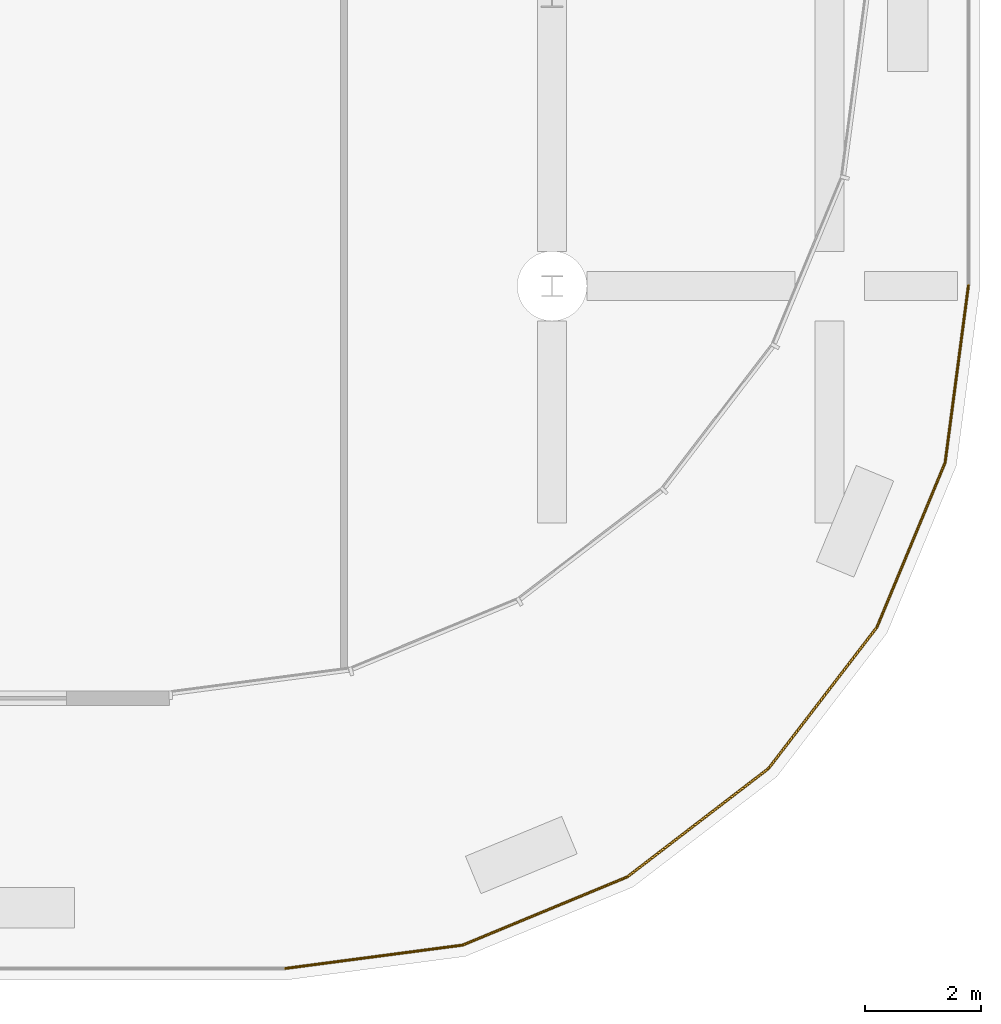
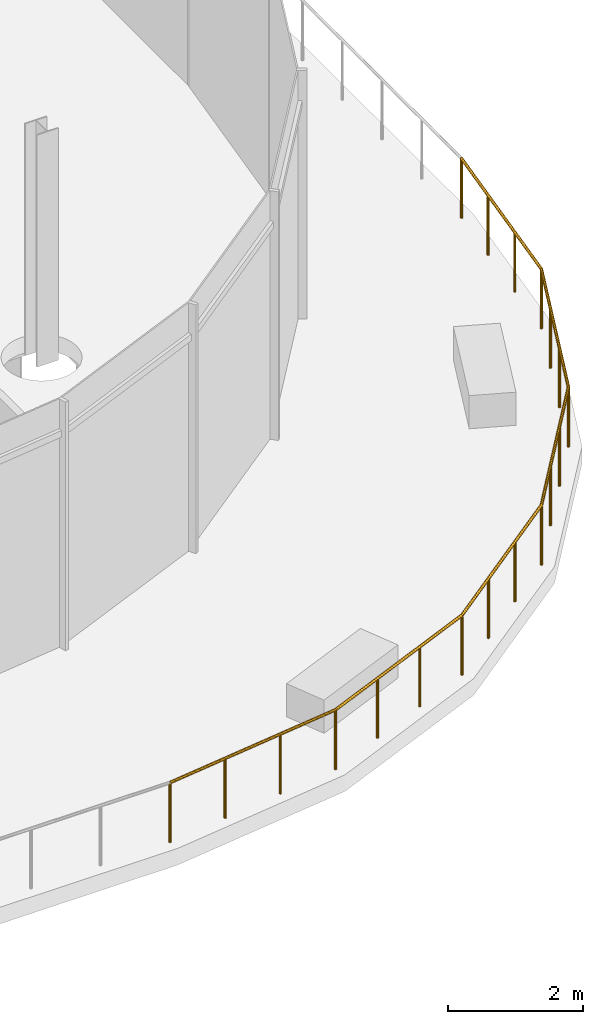
# One storey, part 52 of 56: 1 railing.
"""IFC4 building model written with IfcOpenShell, lengths in metres."""

from ifc_helpers import new_model, si_unit, direction, frame, origin, origin_2d, place, context, subcontext, project, spatial, circle, extrude, material, type_object, element, save


model = new_model("IFC4")

# Units and contexts
model_context = context("Model", 3, precision=1e-05, world=origin(), true_north=direction((0.0, 1.0)))
body_context = subcontext(model_context, "Body", "Model", "MODEL_VIEW")
ifc_project = project(units=[si_unit("LENGTHUNIT", "METRE"), si_unit("AREAUNIT", "SQUARE_METRE"), si_unit("VOLUMEUNIT", "CUBIC_METRE"), si_unit("PLANEANGLEUNIT", "RADIAN"), si_unit("MASSUNIT", "GRAM", prefix="KILO")], contexts=[model_context])

# Site, building, storey
site_placement = place(None, origin())
site = spatial("IfcSite", under=ifc_project, at=site_placement, CompositionType="ELEMENT")
building_placement = place(site_placement, origin())
building = spatial("IfcBuilding", under=site, at=building_placement, Name="Rimbun Link Towers", CompositionType="ELEMENT")
storey_placement = place(building_placement, frame((0.0, 0.0, 16.5)))
storey = spatial("IfcBuildingStorey", under=building, at=storey_placement, Name="L03", CompositionType="ELEMENT", Elevation=16.5)

# Railing
ifc_material = material(Name="Toughened laminated glass, stainless steel grade 316 posts and cap rail", Category="steel")
railing_type = type_object("IfcRailingType", Name="GUARD glass balustrade with stainless cap rail", PredefinedType="BALUSTRADE", material=ifc_material)
railing_placement = place(storey_placement, frame((49.98681640625, -37.800048828125, 0.0)))
element("IfcRailing", 1, at=railing_placement, inside=storey, type_object=railing_type, Name="GUARD glass balustrade", PredefinedType="BALUSTRADE", context=body_context, shape_type="SweptSolid", body=[
    extrude(circle(Radius=0.02392578125, at=origin_2d()), frame((0.0, 0.0, 1.076171875), z_axis=(0.991443009305, 0.130540259305, 0.0), x_axis=(-0.130540259305, 0.991443009305, 0.0)), (0.0, 0.0, 1.0), 3.09326171875),
    extrude(circle(Radius=0.02392578125, at=origin_2d()), frame((3.06689453125, 0.40380859375, 1.076171875), z_axis=(0.92386997747, 0.382706499462, 0.0), x_axis=(-0.382706499462, 0.92386997747, 0.0)), (0.0, 0.0, 1.0), 3.079833984375),
    extrude(circle(Radius=0.02392578125, at=origin_2d()), frame((5.912353515625, 1.58251953125, 1.076171875), z_axis=(0.793398353015, 0.608702762794, 0.0), x_axis=(-0.608702762794, 0.793398353015, 0.0)), (0.0, 0.0, 1.0), 3.079833984375),
    extrude(circle(Radius=0.02392578125, at=origin_2d()), frame((8.35595703125, 3.457275390625, 1.076171875), z_axis=(0.608702762794, 0.793398353015, 0.0), x_axis=(-0.793398353015, 0.608702762794, 0.0)), (0.0, 0.0, 1.0), 3.079833984375),
    extrude(circle(Radius=0.02392578125, at=origin_2d()), frame((10.230712890625, 5.90087890625, 1.076171875), z_axis=(0.382706499462, 0.92386997747, 0.0), x_axis=(-0.92386997747, 0.382706499462, 0.0)), (0.0, 0.0, 1.0), 3.079833984375),
    extrude(circle(Radius=0.02392578125, at=origin_2d()), frame((11.409423828125, 8.746337890625, 1.076171875), z_axis=(0.130540259305, 0.991443009305, 0.0), x_axis=(-0.991443009305, 0.130540259305, 0.0)), (0.0, 0.0, 1.0), 3.09326171875),
    extrude(circle(Radius=0.02099609375, at=origin_2d()), origin(), (0.0, 0.0, 1.0), 1.052001953125),
    extrude(circle(Radius=0.02099609375, at=origin_2d()), frame((1.022216796875, 0.134521484375, 0.0)), (0.0, 0.0, 1.0), 1.052001953125),
    extrude(circle(Radius=0.02099609375, at=origin_2d()), frame((2.044677734375, 0.269287109375, 0.0)), (0.0, 0.0, 1.0), 1.052001953125),
    extrude(circle(Radius=0.02099609375, at=origin_2d()), frame((3.06689453125, 0.40380859375, 0.0)), (0.0, 0.0, 1.0), 1.052001953125),
    extrude(circle(Radius=0.02099609375, at=origin_2d()), frame((4.015380859375, 0.796630859375, 0.0)), (0.0, 0.0, 1.0), 1.052001953125),
    extrude(circle(Radius=0.02099609375, at=origin_2d()), frame((4.9638671875, 1.189697265625, 0.0)), (0.0, 0.0, 1.0), 1.052001953125),
    extrude(circle(Radius=0.02099609375, at=origin_2d()), frame((5.912353515625, 1.58251953125, 0.0)), (0.0, 0.0, 1.0), 1.052001953125),
    extrude(circle(Radius=0.02099609375, at=origin_2d()), frame((6.726806640625, 2.20751953125, 0.0)), (0.0, 0.0, 1.0), 1.052001953125),
    extrude(circle(Radius=0.02099609375, at=origin_2d()), frame((7.54150390625, 2.832275390625, 0.0)), (0.0, 0.0, 1.0), 1.052001953125),
    extrude(circle(Radius=0.02099609375, at=origin_2d()), frame((8.35595703125, 3.457275390625, 0.0)), (0.0, 0.0, 1.0), 1.052001953125),
    extrude(circle(Radius=0.02099609375, at=origin_2d()), frame((8.98095703125, 4.271728515625, 0.0)), (0.0, 0.0, 1.0), 1.052001953125),
    extrude(circle(Radius=0.02099609375, at=origin_2d()), frame((9.605712890625, 5.08642578125, 0.0)), (0.0, 0.0, 1.0), 1.052001953125),
    extrude(circle(Radius=0.02099609375, at=origin_2d()), frame((10.230712890625, 5.90087890625, 0.0)), (0.0, 0.0, 1.0), 1.052001953125),
    extrude(circle(Radius=0.02099609375, at=origin_2d()), frame((10.62353515625, 6.849365234375, 0.0)), (0.0, 0.0, 1.0), 1.052001953125),
    extrude(circle(Radius=0.02099609375, at=origin_2d()), frame((11.0166015625, 7.7978515625, 0.0)), (0.0, 0.0, 1.0), 1.052001953125),
    extrude(circle(Radius=0.02099609375, at=origin_2d()), frame((11.409423828125, 8.746337890625, 0.0)), (0.0, 0.0, 1.0), 1.052001953125),
    extrude(circle(Radius=0.02099609375, at=origin_2d()), frame((11.5439453125, 9.7685546875, 0.0)), (0.0, 0.0, 1.0), 1.052001953125),
    extrude(circle(Radius=0.02099609375, at=origin_2d()), frame((11.6787109375, 10.791015625, 0.0)), (0.0, 0.0, 1.0), 1.052001953125),
    extrude(circle(Radius=0.02099609375, at=origin_2d()), frame((11.813232421875, 11.813232421875, 0.0)), (0.0, 0.0, 1.0), 1.052001953125),
])

save(model, "model.ifc")
